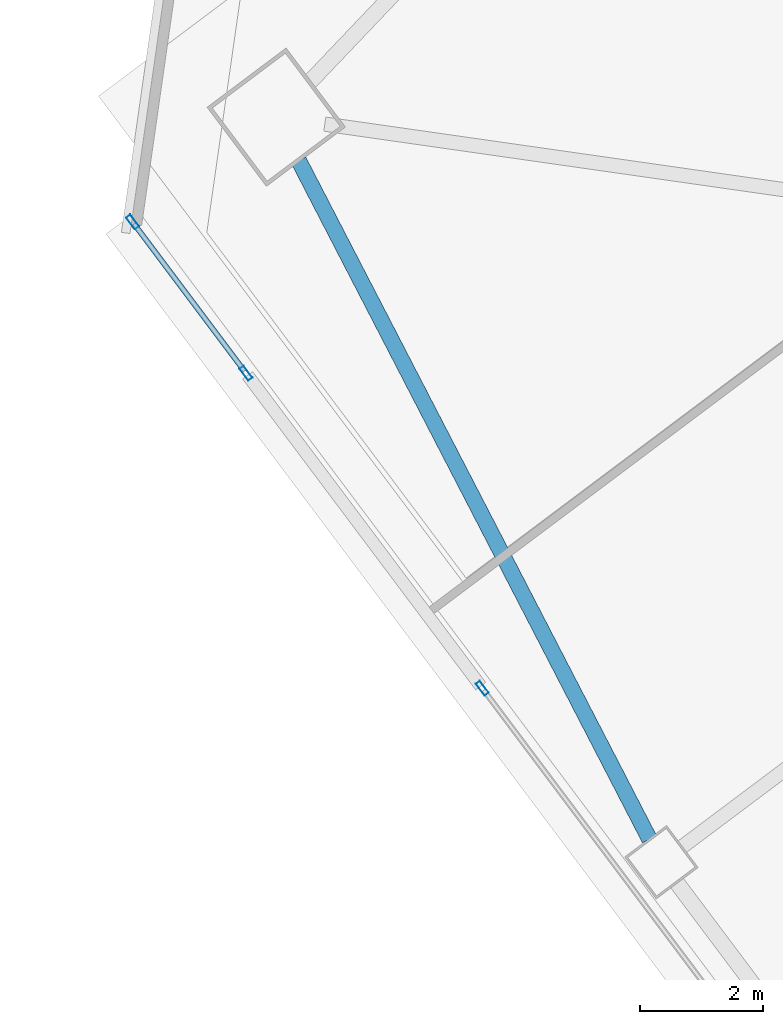
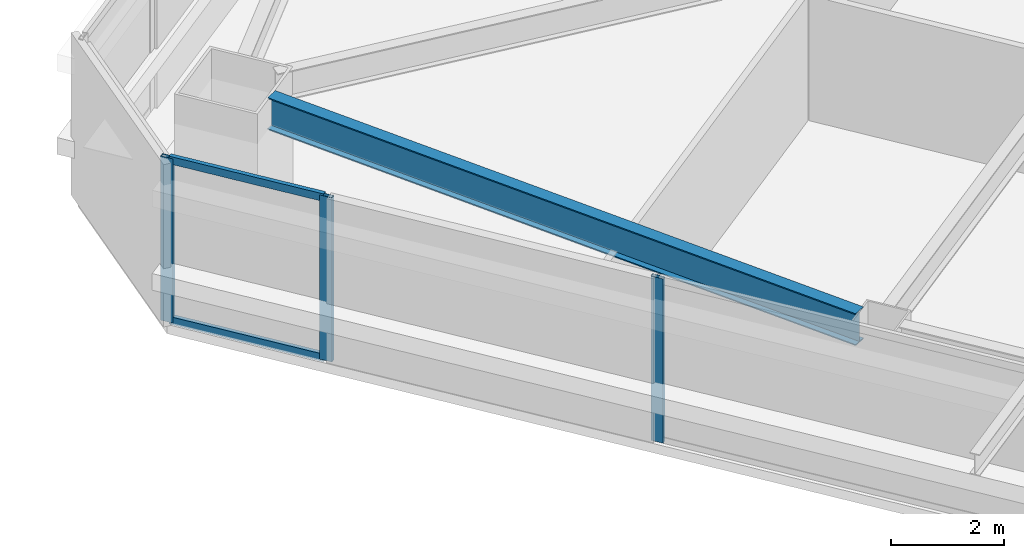
# One storey, part 23 of 48: 5 members, 1 beam, 2 elements without a shape of their own.
"""IFC4 building model written with IfcOpenShell, lengths in metres."""

from ifc_helpers import new_model, si_unit, direction, frame, origin, origin_2d, place, context, subcontext, project, spatial, hollow_rectangle, i_section, extrude, material, material_profile, profile_set, type_object, element, aggregate, save


model = new_model("IFC4")

# Units and contexts
model_context = context("Model", 3, precision=1e-05, world=origin(), true_north=direction((0.0, 1.0)))
body_context = subcontext(model_context, "Body", "Model", "MODEL_VIEW")
ifc_project = project(units=[si_unit("LENGTHUNIT", "METRE"), si_unit("AREAUNIT", "SQUARE_METRE"), si_unit("VOLUMEUNIT", "CUBIC_METRE"), si_unit("PLANEANGLEUNIT", "RADIAN"), si_unit("MASSUNIT", "GRAM", prefix="KILO")], contexts=[model_context])

# Site, building, storey
site_placement = place(None, origin())
site = spatial("IfcSite", under=ifc_project, at=site_placement, CompositionType="ELEMENT")
building_placement = place(site_placement, origin())
building = spatial("IfcBuilding", under=site, at=building_placement, Name="Tashvorn Skyway Center", CompositionType="ELEMENT")
storey_placement = place(building_placement, frame((0.0, 0.0, 53.0)))
storey = spatial("IfcBuildingStorey", under=building, at=storey_placement, Name="L13", CompositionType="ELEMENT", Elevation=53.0)

# Beam
ifc_material_1 = material(Name="Steel ASTM A992 Grade 50", Category="steel")
ifc_material_profile_1 = material_profile(ifc_material_1, i_section(OverallWidth=0.256103515625, OverallDepth=0.693115234375, WebThickness=0.014404296875, FlangeThickness=0.023681640625, at=origin_2d()), Name="W27X114")
ifc_profile_set_1 = profile_set([ifc_material_profile_1], Name="Steel ASTM A992 Grade 50")
beam_type = type_object("IfcBeamType", Name="BM-SPANDREL-W27X114", PredefinedType="SPANDREL", material=ifc_profile_set_1)
beam_placement = place(storey_placement, frame((88.045166015625, 35.0537109375, 3.00341796875), z_axis=(0.459233413919, -0.888315637339, 0.0), x_axis=(0.888315637339, 0.459233413919, 0.0)))
element("IfcBeam", 1, at=beam_placement, inside=storey, type_object=beam_type, Name="Tower 2 L13 Spandrel Beam 10", PredefinedType="SPANDREL", context=body_context, shape_type="SweptSolid", body=[
    extrude(i_section(OverallWidth=0.256103515625, OverallDepth=0.693115234375, WebThickness=0.014404296875, FlangeThickness=0.023681640625, at=origin_2d()), origin(), (0.0, 0.0, 1.0), 12.37255859375),
])

# Curtain wall, member
ifc_material_2 = material(Name="Thermally broken bronze-anodized aluminium 6063-T6", Category="aluminium")
curtain_wall_type = type_object("IfcCurtainWallType", Name="CW-CW-Z1", PredefinedType="NOTDEFINED", material=ifc_material_2)
curtain_wall_1_placement = place(storey_placement, origin())
curtain_wall_1 = element("IfcCurtainWall", 2, at=curtain_wall_1_placement, inside=storey, type_object=curtain_wall_type, Name="Tower 2 L13 West Unitised Curtain Wall Glazing Group 2", PredefinedType="NOTDEFINED")
ifc_material_profile_2 = material_profile(ifc_material_2, hollow_rectangle(XDim=0.0849609375, YDim=0.239990234375, WallThickness=0.0048828125, at=origin_2d()), Name="ALU-MULL-85x240")
ifc_profile_set_2 = profile_set([ifc_material_profile_2], Name="Thermally broken bronze-anodized aluminium 6063-T6")
member_type_1 = type_object("IfcMemberType", Name="CWM-CW-Z1", PredefinedType="MULLION", material=ifc_profile_set_2)
member_1_placement = place(storey_placement, frame((91.017578125, 26.510009765625, 0.0), z_axis=(0.0, 0.0, 1.0), x_axis=(-0.799999999998, -0.600000000002, 0.0)))
member_1 = element("IfcMember", 3, at=member_1_placement, type_object=member_type_1, Name="CW-Z1 mullion 3", PredefinedType="MULLION", context=body_context, shape_type="SweptSolid", body=[
    extrude(hollow_rectangle(XDim=0.0849609375, YDim=0.239990234375, WallThickness=0.0048828125, at=origin_2d()), origin(), (0.0, 0.0, 1.0), 3.550048828125),
])
aggregate(curtain_wall_1, [member_1])

# Curtain wall, members
curtain_wall_2_placement = place(storey_placement, origin())
curtain_wall_2 = element("IfcCurtainWall", 4, at=curtain_wall_2_placement, inside=storey, type_object=curtain_wall_type, Name="Tower 2 L13 West Unitised Curtain Wall Glazing Group 3", PredefinedType="NOTDEFINED")
member_2_placement = place(storey_placement, frame((87.1904296875, 31.61279296875, 0.0), z_axis=(0.0, 0.0, 1.0), x_axis=(-0.799996186392, -0.600005084776, 0.0)))
member_2 = element("IfcMember", 5, at=member_2_placement, type_object=member_type_1, Name="CW-Z1 mullion 1", PredefinedType="MULLION", context=body_context, shape_type="SweptSolid", body=[
    extrude(hollow_rectangle(XDim=0.0849609375, YDim=0.239990234375, WallThickness=0.0048828125, at=origin_2d()), origin(), (0.0, 0.0, 1.0), 3.550048828125),
])
member_3_placement = place(storey_placement, frame((85.353515625, 34.06201171875, 0.0), z_axis=(0.0, 0.0, 1.0), x_axis=(-0.799996186392, -0.600005084776, 0.0)))
member_3 = element("IfcMember", 6, at=member_3_placement, type_object=member_type_1, Name="CW-Z1 mullion 2", PredefinedType="MULLION", context=body_context, shape_type="SweptSolid", body=[
    extrude(hollow_rectangle(XDim=0.0849609375, YDim=0.239990234375, WallThickness=0.0048828125, at=origin_2d()), origin(), (0.0, 0.0, 1.0), 3.550048828125),
])
ifc_material_profile_3 = material_profile(ifc_material_2, hollow_rectangle(XDim=0.0849609375, YDim=0.1650390625, WallThickness=0.0048828125, at=origin_2d()), Name="ALU-TRAN-85x165")
ifc_profile_set_3 = profile_set([ifc_material_profile_3], Name="Thermally broken bronze-anodized aluminium 6063-T6")
member_type_2 = type_object("IfcMemberType", Name="CWT-CW-Z1", PredefinedType="USERDEFINED", material=ifc_profile_set_3)
member_4_placement = place(storey_placement, frame((87.1650390625, 31.646728515625, 0.04248046875), z_axis=(-0.600026244674, 0.799980315822, 0.0), x_axis=(-0.799980315822, -0.600026244674, 0.0)))
member_4 = element("IfcMember", 7, at=member_4_placement, type_object=member_type_2, Name="CW-Z1 transom 1.1", ObjectType="TRANSOM", PredefinedType="USERDEFINED", context=body_context, shape_type="SweptSolid", body=[
    extrude(hollow_rectangle(XDim=0.0849609375, YDim=0.1650390625, WallThickness=0.0048828125, at=origin_2d()), origin(), (0.0, 0.0, 1.0), 2.976806640625),
])
member_5_placement = place(storey_placement, frame((87.1650390625, 31.646728515625, 3.507568359375), z_axis=(-0.600026244674, 0.799980315822, 0.0), x_axis=(-0.799980315822, -0.600026244674, 0.0)))
member_5 = element("IfcMember", 8, at=member_5_placement, type_object=member_type_2, Name="CW-Z1 transom 1.2", ObjectType="TRANSOM", PredefinedType="USERDEFINED", context=body_context, shape_type="SweptSolid", body=[
    extrude(hollow_rectangle(XDim=0.0849609375, YDim=0.1650390625, WallThickness=0.0048828125, at=origin_2d()), origin(), (0.0, 0.0, 1.0), 2.976806640625),
])
aggregate(curtain_wall_2, [member_2, member_3, member_4, member_5])

save(model, "model.ifc")
